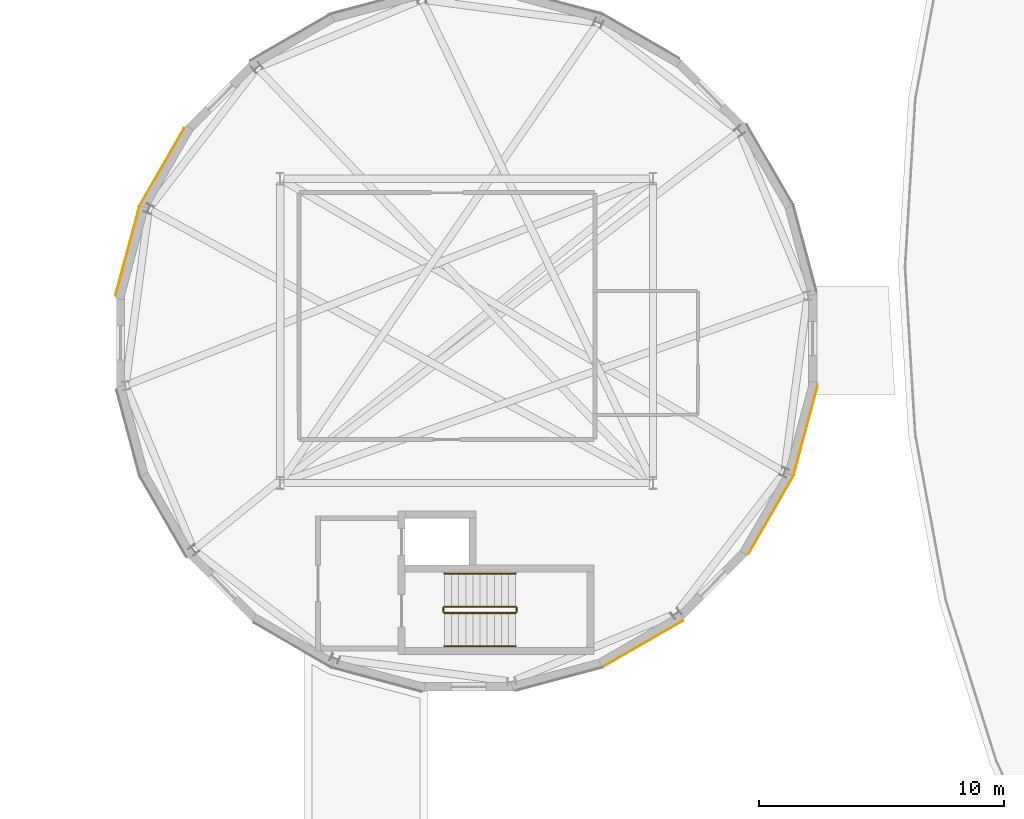
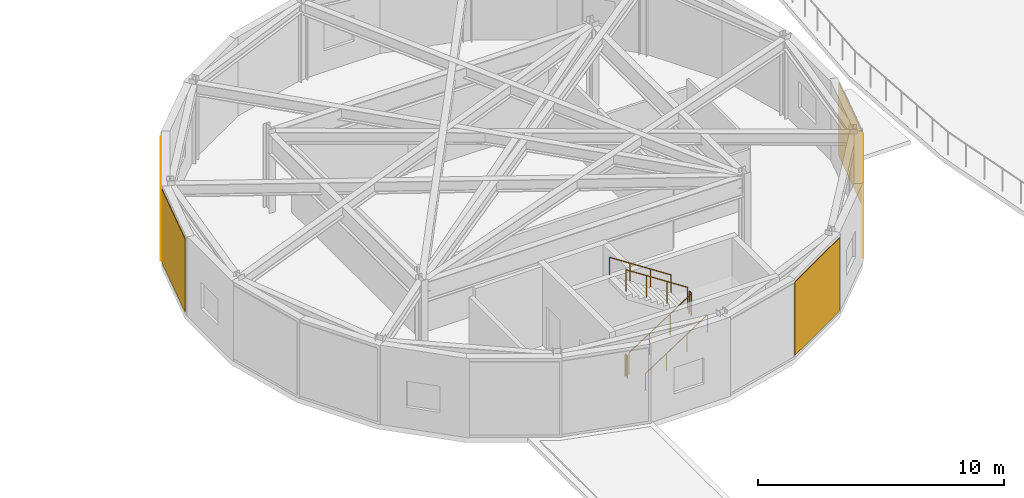
# One storey, part 46 of 59: 6 railings, 5 coverings.
"""IFC4 building model written with IfcOpenShell, lengths in metres."""

from ifc_helpers import new_model, si_unit, direction, frame, origin, origin_2d, place, context, subcontext, project, spatial, rectangle, circle, extrude, material, layer, layer_set, type_object, element, save


model = new_model("IFC4")

# Units and contexts
model_context = context("Model", 3, precision=1e-05, world=origin(), true_north=direction((0.0, 1.0)))
body_context = subcontext(model_context, "Body", "Model", "MODEL_VIEW")
ifc_project = project(units=[si_unit("LENGTHUNIT", "METRE"), si_unit("AREAUNIT", "SQUARE_METRE"), si_unit("VOLUMEUNIT", "CUBIC_METRE"), si_unit("PLANEANGLEUNIT", "RADIAN"), si_unit("MASSUNIT", "GRAM", prefix="KILO")], contexts=[model_context])

# Site, building, storey
site_placement = place(None, origin())
site = spatial("IfcSite", under=ifc_project, at=site_placement, CompositionType="ELEMENT")
building_placement = place(site_placement, origin())
building = spatial("IfcBuilding", under=site, at=building_placement, Name="Varnklinge Art Gallery", CompositionType="ELEMENT")
storey_placement = place(building_placement, frame((0.0, 0.0, 9.52001953125)))
storey = spatial("IfcBuildingStorey", under=building, at=storey_placement, Name="L02", CompositionType="ELEMENT", Elevation=9.52001953125)

# Coverings
ifc_material_1 = material(Name="Oxide Terracotta Panel", Category="masonry")
ifc_layer = layer(ifc_material_1, 0.034912109375)
ifc_layer_set = layer_set([ifc_layer], Name="Oxide Terracotta Panel")
covering_type = type_object("IfcCoveringType", Name="CLD-TER", PredefinedType="CLADDING", material=ifc_layer_set)
for number, where, z_axis, x_axis, name in (
    (1, (35.62939453125, 48.382568359375, 0.14990234375), (0.0, 0.0, 1.0), (-0.258819045103, -0.965925826289, 0.0), "L02 Oxide Terracotta Drum Cladding EW-V3-L02-02"),
    (2, (34.2216796875, 44.926513671875, 0.14990234375), (0.0, 0.0, 1.0), (-0.5, -0.866025403784, 0.0), "L02 Oxide Terracotta Drum Cladding EW-V3-L02-03"),
    (3, (29.020751953125, 39.6630859375, 0.14990234375), (0.0, 0.0, 1.0), (-0.866025403784, -0.5, 0.0), "L02 Oxide Terracotta Drum Cladding EW-V3-L02-05"),
    (4, (7.970703125, 55.617431640625, 0.14990234375), (0.0, 0.0, 1.0), (0.258819045103, 0.965925826289, 0.0), "L02 Oxide Terracotta Drum Cladding EW-V3-L02-14"),
    (5, (9.378173828125, 59.073486328125, 0.14990234375), (0.0, 0.0, 1.0), (0.5, 0.866025403784, 0.0), "L02 Oxide Terracotta Drum Cladding EW-V3-L02-15"),
):
    element("IfcCovering", number, at=place(storey_placement, frame(where, z_axis=z_axis, x_axis=x_axis)), inside=storey, type_object=covering_type, Name=name, PredefinedType="CLADDING", context=body_context, shape_type="SweptSolid", body=[
        extrude(rectangle(XDim=3.684326171875, YDim=0.034912109375, at=origin_2d()), origin(), (0.0, 0.0, 1.0), 3.639892578125),
    ])

# Railings
ifc_material_2 = material(Name="Steel S355", Category="steel")
railing_type_1 = type_object("IfcRailingType", Name="GR-INT", PredefinedType="GUARDRAIL", material=ifc_material_2)
railing_1_placement = place(storey_placement, frame((20.89990234375, 40.89990234375, 0.18896484375)))
element("IfcRailing", 6, at=railing_1_placement, inside=storey, type_object=railing_type_1, Name="L02 ST-06 stair guard 1", PredefinedType="GUARDRAIL", context=body_context, shape_type="SweptSolid", body=[
    extrude(circle(Radius=0.02392578125, at=origin_2d()), frame((0.0, 0.0, 1.076171875), z_axis=(0.837648470955, 0.0, 0.546209702502), x_axis=(0.0, 1.0, 0.0)), (0.0, 0.0, 1.0), 3.462158203125),
    extrude(circle(Radius=0.02099609375, at=origin_2d()), origin(), (0.0, 0.0, 1.0), 1.052001953125),
    extrude(circle(Radius=0.02099609375, at=origin_2d()), frame((0.966796875, 0.0, 0.63037109375)), (0.0, 0.0, 1.0), 1.052001953125),
    extrude(circle(Radius=0.02099609375, at=origin_2d()), frame((1.933349609375, 0.0, 1.2607421875)), (0.0, 0.0, 1.0), 1.052001953125),
    extrude(circle(Radius=0.02099609375, at=origin_2d()), frame((2.900146484375, 0.0, 1.89111328125)), (0.0, 0.0, 1.0), 1.052001953125),
])
railing_2_placement = place(storey_placement, frame((23.85009765625, 40.949951171875, 2.080078125)))
element("IfcRailing", 7, at=railing_2_placement, inside=storey, type_object=railing_type_1, Name="L02 ST-06 stair guard 2", PredefinedType="GUARDRAIL", context=body_context, shape_type="SweptSolid", body=[
    extrude(circle(Radius=0.02392578125, at=origin_2d()), frame((0.0, 0.0, 1.076171875), z_axis=(0.0, 1.0, 0.0), x_axis=(-1.0, 0.0, 0.0)), (0.0, 0.0, 1.0), 0.16015625),
    extrude(circle(Radius=0.02099609375, at=origin_2d()), origin(), (0.0, 0.0, 1.0), 1.052001953125),
    extrude(circle(Radius=0.02099609375, at=origin_2d()), frame((0.0, 0.16015625, 0.0)), (0.0, 0.0, 1.0), 1.052001953125),
])
railing_3_placement = place(storey_placement, frame((23.800048828125, 41.159912109375, 2.26904296875)))
element("IfcRailing", 8, at=railing_3_placement, inside=storey, type_object=railing_type_1, Name="L02 ST-06 stair guard 3", PredefinedType="GUARDRAIL", context=body_context, shape_type="SweptSolid", body=[
    extrude(circle(Radius=0.02392578125, at=origin_2d()), frame((0.0, 0.0, 1.076171875), z_axis=(-0.837680733616, 0.0, 0.546160222397), x_axis=(0.0, -1.0, 0.0)), (0.0, 0.0, 1.0), 3.462158203125),
    extrude(circle(Radius=0.02099609375, at=origin_2d()), origin(), (0.0, 0.0, 1.0), 1.052001953125),
    extrude(circle(Radius=0.02099609375, at=origin_2d()), frame((-0.966796875, 0.0, 0.63037109375)), (0.0, 0.0, 1.0), 1.052001953125),
    extrude(circle(Radius=0.02099609375, at=origin_2d()), frame((-1.933349609375, 0.0, 1.260498046875)), (0.0, 0.0, 1.0), 1.052001953125),
    extrude(circle(Radius=0.02099609375, at=origin_2d()), frame((-2.900146484375, 0.0, 1.890869140625)), (0.0, 0.0, 1.0), 1.052001953125),
])
railing_4_placement = place(storey_placement, frame((20.85009765625, 40.949951171875, 0.0)))
element("IfcRailing", 9, at=railing_4_placement, inside=storey, type_object=railing_type_1, Name="L02 ST-06 stair guard 4", PredefinedType="GUARDRAIL", context=body_context, shape_type="SweptSolid", body=[
    extrude(circle(Radius=0.02392578125, at=origin_2d()), frame((0.0, 0.0, 1.076171875), z_axis=(0.0, 1.0, 0.0), x_axis=(-1.0, 0.0, 0.0)), (0.0, 0.0, 1.0), 0.16015625),
    extrude(circle(Radius=0.02099609375, at=origin_2d()), origin(), (0.0, 0.0, 1.0), 1.052001953125),
    extrude(circle(Radius=0.02099609375, at=origin_2d()), frame((0.0, 0.16015625, 0.0)), (0.0, 0.0, 1.0), 1.052001953125),
])
ifc_material_3 = material(Name="Steel S355", Category="steel")
railing_type_2 = type_object("IfcRailingType", Name="HR-01", PredefinedType="HANDRAIL", material=ifc_material_3)
railing_5_placement = place(storey_placement, frame((20.89990234375, 39.550048828125, 0.18896484375)))
element("IfcRailing", 10, at=railing_5_placement, inside=storey, type_object=railing_type_2, Name="L02 ST-06 stair handrail 1", PredefinedType="HANDRAIL", context=body_context, shape_type="SweptSolid", body=[
    extrude(circle(Radius=0.02392578125, at=origin_2d()), frame((0.0, 0.0, 0.8759765625), z_axis=(0.837648470955, 0.0, 0.546209702502), x_axis=(0.0, 1.0, 0.0)), (0.0, 0.0, 1.0), 3.462158203125),
    extrude(circle(Radius=0.02099609375, at=origin_2d()), origin(), (0.0, 0.0, 1.0), 0.851806640625),
    extrude(circle(Radius=0.02099609375, at=origin_2d()), frame((0.966796875, 0.0, 0.63037109375)), (0.0, 0.0, 1.0), 0.851806640625),
    extrude(circle(Radius=0.02099609375, at=origin_2d()), frame((1.933349609375, 0.0, 1.2607421875)), (0.0, 0.0, 1.0), 0.851806640625),
    extrude(circle(Radius=0.02099609375, at=origin_2d()), frame((2.900146484375, 0.0, 1.89111328125)), (0.0, 0.0, 1.0), 0.851806640625),
])
railing_6_placement = place(storey_placement, frame((23.800048828125, 42.510009765625, 2.26904296875)))
element("IfcRailing", 11, at=railing_6_placement, inside=storey, type_object=railing_type_2, Name="L02 ST-06 stair handrail 2", PredefinedType="HANDRAIL", context=body_context, shape_type="SweptSolid", body=[
    extrude(circle(Radius=0.02392578125, at=origin_2d()), frame((0.0, 0.0, 0.8759765625), z_axis=(-0.837680733616, 0.0, 0.546160222397), x_axis=(0.0, -1.0, 0.0)), (0.0, 0.0, 1.0), 3.462158203125),
    extrude(circle(Radius=0.02099609375, at=origin_2d()), origin(), (0.0, 0.0, 1.0), 0.851806640625),
    extrude(circle(Radius=0.02099609375, at=origin_2d()), frame((-0.966796875, 0.0, 0.63037109375)), (0.0, 0.0, 1.0), 0.851806640625),
    extrude(circle(Radius=0.02099609375, at=origin_2d()), frame((-1.933349609375, 0.0, 1.260498046875)), (0.0, 0.0, 1.0), 0.851806640625),
    extrude(circle(Radius=0.02099609375, at=origin_2d()), frame((-2.900146484375, 0.0, 1.890869140625)), (0.0, 0.0, 1.0), 0.851806640625),
])

save(model, "model.ifc")
